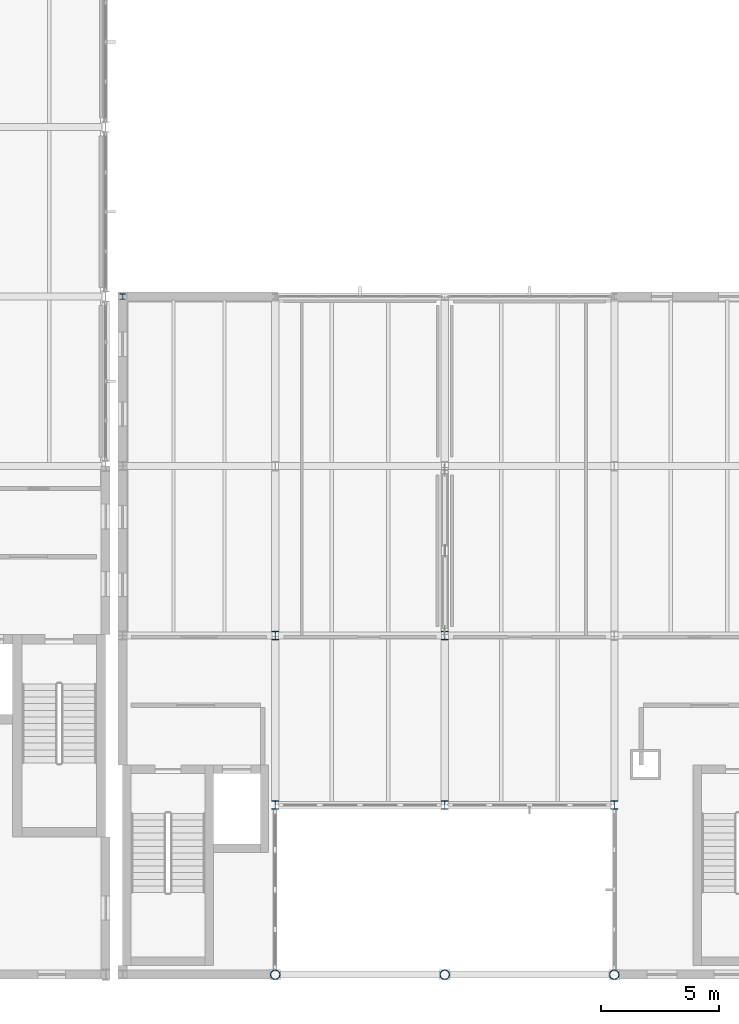
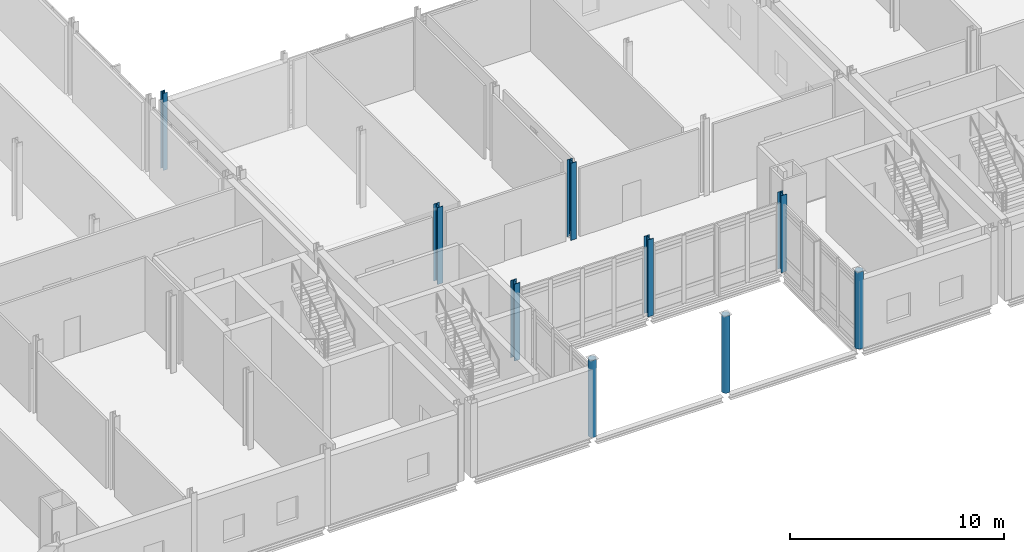
# One storey, part 2 of 72: 9 columns.
"""IFC4 building model written with IfcOpenShell, lengths in metres."""

from ifc_helpers import new_model, si_unit, direction, frame, origin, origin_2d, place, context, subcontext, project, spatial, hollow_circle, i_section, extrude, material, material_profile, profile_set, type_object, element, save


model = new_model("IFC4")

# Units and contexts
model_context = context("Model", 3, precision=1e-05, world=origin(), true_north=direction((0.0, 1.0)))
body_context = subcontext(model_context, "Body", "Model", "MODEL_VIEW")
ifc_project = project(units=[si_unit("LENGTHUNIT", "METRE"), si_unit("AREAUNIT", "SQUARE_METRE"), si_unit("VOLUMEUNIT", "CUBIC_METRE"), si_unit("PLANEANGLEUNIT", "RADIAN"), si_unit("MASSUNIT", "GRAM", prefix="KILO")], contexts=[model_context])

# Site, building, storey
site_placement = place(None, origin())
site = spatial("IfcSite", under=ifc_project, at=site_placement, CompositionType="ELEMENT")
building_placement = place(site_placement, origin())
building = spatial("IfcBuilding", under=site, at=building_placement, Name="Zarrinpeak Specialist Clinic", CompositionType="ELEMENT")
storey_placement = place(building_placement, frame((0.0, 0.0, 9.60009765625)))
storey = spatial("IfcBuildingStorey", under=building, at=storey_placement, Name="L02", CompositionType="ELEMENT", Elevation=9.60009765625)

# Columns
ifc_material = material(Name="Steel S355", Category="steel")
ifc_material_profile_1 = material_profile(ifc_material, hollow_circle(Radius=0.203125, WallThickness=0.01611328125, at=origin_2d()), Name="CHS 406.4x16.0")
ifc_profile_set_1 = profile_set([ifc_material_profile_1], Name="Steel S355")
column_type_1 = type_object("IfcColumnType", Name="COL-CHS406", PredefinedType="COLUMN", material=ifc_profile_set_1)
for number, where, z_axis, x_axis, name in (
    (1, (36.0, 0.0, 0.0), (0.0, 0.0, 1.0), (1.0, 0.0, 0.0), "L02 Structural Column COL-L02-069"),
    (2, (43.199951171875, 0.0, 0.0), (0.0, 0.0, 1.0), (1.0, 0.0, 0.0), "L02 Structural Column COL-L02-079"),
    (3, (50.39990234375, 0.0, 0.0), (0.0, 0.0, 1.0), (1.0, 0.0, 0.0), "L02 Structural Column COL-L02-090"),
):
    element("IfcColumn", number, at=place(storey_placement, frame(where, z_axis=z_axis, x_axis=x_axis)), inside=storey, type_object=column_type_1, Name=name, PredefinedType="COLUMN", context=body_context, shape_type="SweptSolid", body=[
        extrude(hollow_circle(Radius=0.203125, WallThickness=0.01611328125, at=origin_2d()), origin(), (0.0, 0.0, 1.0), 4.39990234375),
    ])
ifc_material_profile_2 = material_profile(ifc_material, i_section(OverallWidth=0.239990234375, OverallDepth=0.239990234375, WebThickness=0.010009765625, FlangeThickness=0.01708984375, FilletRadius=0.02099609375, at=origin_2d()), Name="HEB 240")
ifc_profile_set_2 = profile_set([ifc_material_profile_2], Name="Steel S355")
column_type_2 = type_object("IfcColumnType", Name="COL-HEB240", PredefinedType="COLUMN", material=ifc_profile_set_2)
column_placement = place(storey_placement, frame((29.52001953125, 28.800048828125, 0.0), z_axis=(0.0, 0.0, 1.0), x_axis=(1.0, 0.0, 0.0)))
element("IfcColumn", 4, at=column_placement, inside=storey, type_object=column_type_2, Name="L02 Structural Column COL-L02-068", PredefinedType="COLUMN", context=body_context, shape_type="SweptSolid", body=[
    extrude(i_section(OverallWidth=0.239990234375, OverallDepth=0.239990234375, WebThickness=0.010009765625, FlangeThickness=0.01708984375, FilletRadius=0.02099609375, at=origin_2d()), origin(), (0.0, 0.0, 1.0), 4.39990234375),
])
ifc_material_profile_3 = material_profile(ifc_material, i_section(OverallWidth=0.300048828125, OverallDepth=0.360107421875, WebThickness=0.012451171875, FlangeThickness=0.0224609375, FilletRadius=0.027099609375, at=origin_2d()), Name="HEB 360")
ifc_profile_set_3 = profile_set([ifc_material_profile_3], Name="Steel S355")
column_type_3 = type_object("IfcColumnType", Name="COL-HEB360", PredefinedType="COLUMN", material=ifc_profile_set_3)
for number, where, z_axis, x_axis, name in (
    (5, (36.0, 7.199951171875, 0.0), (0.0, 0.0, 1.0), (1.0, 0.0, 0.0), "L02 Structural Column COL-L02-070"),
    (6, (36.0, 14.39990234375, 0.0), (0.0, 0.0, 1.0), (1.0, 0.0, 0.0), "L02 Structural Column COL-L02-071"),
    (7, (43.199951171875, 7.199951171875, 0.0), (0.0, 0.0, 1.0), (1.0, 0.0, 0.0), "L02 Structural Column COL-L02-080"),
    (8, (43.199951171875, 14.39990234375, 0.0), (0.0, 0.0, 1.0), (1.0, 0.0, 0.0), "L02 Structural Column COL-L02-081"),
    (9, (50.39990234375, 7.199951171875, 0.0), (0.0, 0.0, 1.0), (1.0, 0.0, 0.0), "L02 Structural Column COL-L02-091"),
):
    element("IfcColumn", number, at=place(storey_placement, frame(where, z_axis=z_axis, x_axis=x_axis)), inside=storey, type_object=column_type_3, Name=name, PredefinedType="COLUMN", context=body_context, shape_type="SweptSolid", body=[
        extrude(i_section(OverallWidth=0.300048828125, OverallDepth=0.360107421875, WebThickness=0.012451171875, FlangeThickness=0.0224609375, FilletRadius=0.027099609375, at=origin_2d()), origin(), (0.0, 0.0, 1.0), 4.39990234375),
    ])

save(model, "model.ifc")
